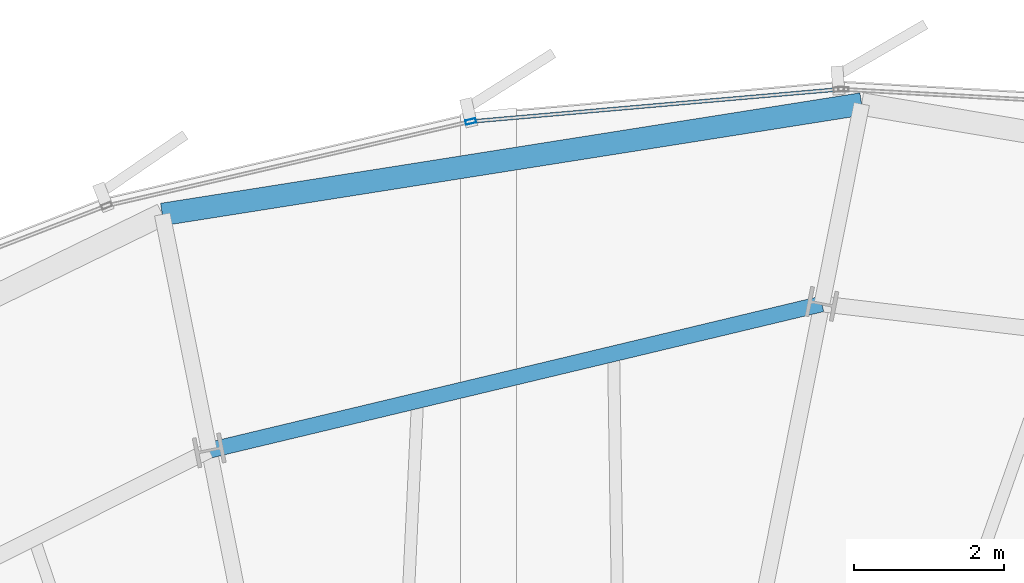
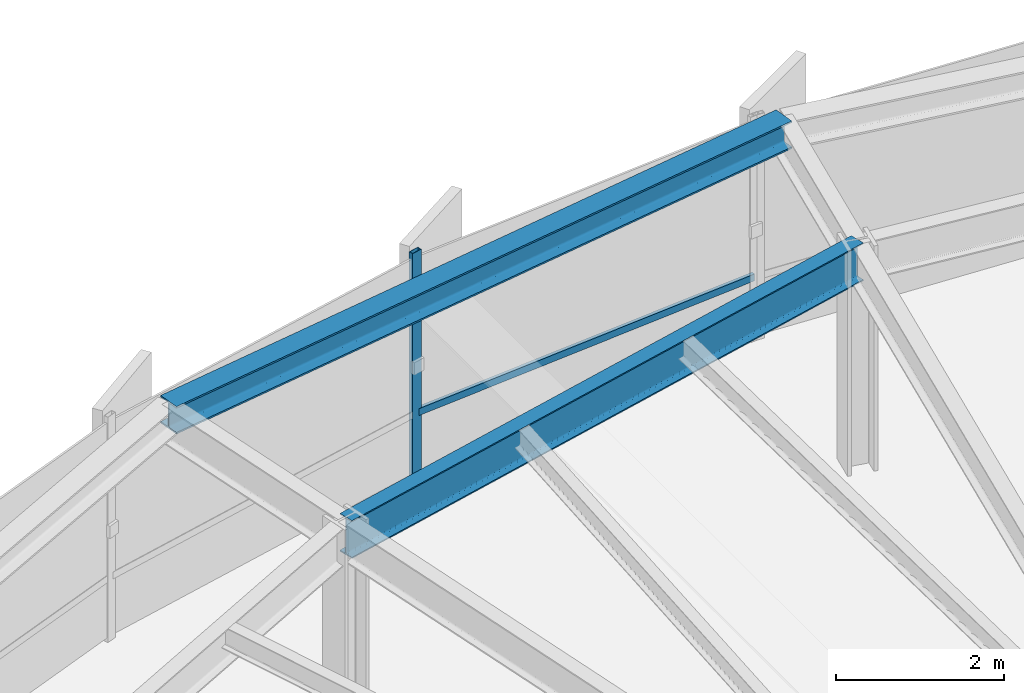
# One storey, part 23 of 35: 2 beams, 2 members, 1 element without a shape of its own.
"""IFC4 building model written with IfcOpenShell, lengths in metres."""

from ifc_helpers import new_model, si_unit, direction, frame, origin, origin_2d, place, context, subcontext, project, spatial, hollow_rectangle, i_section, extrude, source, transform, mapped, material, layer, layer_set, material_profile, profile_set, type_object, element, aggregate, save


model = new_model("IFC4")

# Units and contexts
model_context = context("Model", 3, precision=1e-05, world=origin(), true_north=direction((0.0, 1.0)))
body_context = subcontext(model_context, "Body", "Model", "MODEL_VIEW")
ifc_project = project(units=[si_unit("LENGTHUNIT", "METRE"), si_unit("AREAUNIT", "SQUARE_METRE"), si_unit("VOLUMEUNIT", "CUBIC_METRE"), si_unit("PLANEANGLEUNIT", "RADIAN"), si_unit("MASSUNIT", "GRAM", prefix="KILO"), si_unit("THERMODYNAMICTEMPERATUREUNIT", "KELVIN")], contexts=[model_context])

# Site, building, storey
site_placement = place(None, origin())
site = spatial("IfcSite", under=ifc_project, at=site_placement, CompositionType="ELEMENT")
building_placement = place(site_placement, origin())
building = spatial("IfcBuilding", under=site, at=building_placement, Name="Kethvar Cultural Tower", CompositionType="ELEMENT")
storey_placement = place(building_placement, frame((0.0, 0.0, 135.89990234375)))
storey = spatial("IfcBuildingStorey", under=building, at=storey_placement, Name="L34", CompositionType="ELEMENT", Elevation=135.89990234375)

# Beams
ifc_material_1 = material(Name="Steel S355J2", Category="steel")
ifc_material_profile_1 = material_profile(ifc_material_1, i_section(OverallWidth=0.2099609375, OverallDepth=0.550048828125, WebThickness=0.010986328125, FlangeThickness=0.01708984375, FilletRadius=0.02392578125, at=origin_2d()), Name="Steel S355J2 — IPE550")
ifc_profile_set_1 = profile_set([ifc_material_profile_1], Name="Steel S355J2 — IPE550")
beam_type_1 = type_object("IfcBeamType", Name="BM-IPE550", PredefinedType="BEAM", material=ifc_profile_set_1)
shared_shape_1 = source(origin(), body_context, "Body", "SweptSolid", [
    extrude(i_section(OverallWidth=0.2099609375, OverallDepth=0.550048828125, WebThickness=0.010986328125, FlangeThickness=0.01708984375, FilletRadius=0.02392578125, at=origin_2d()), origin(), (0.0, 0.0, 1.0), 8.379150390625),
])
beam_1_placement = place(storey_placement, frame((51.068603515625, 49.25927734375, 3.023193359375), z_axis=(-0.972601380857, -0.232479147355, 0.0), x_axis=(0.232479147355, -0.972601380857, 0.0)))
element("IfcBeam", 1, at=beam_1_placement, inside=storey, type_object=beam_type_1, Name="L34 Column Ring Tie Beam CR-04", PredefinedType="BEAM", context=body_context, shape_type="MappedRepresentation", body=[
    mapped(shared_shape_1, transform((0.0, 0.0, 0.0), scale=1.0)),
])
ifc_material_profile_2 = material_profile(ifc_material_1, i_section(OverallWidth=0.300048828125, OverallDepth=0.39990234375, WebThickness=0.013427734375, FlangeThickness=0.02392578125, FilletRadius=0.027099609375, at=origin_2d()), Name="Steel S355J2 — HEB400")
ifc_profile_set_2 = profile_set([ifc_material_profile_2], Name="Steel S355J2 — HEB400")
beam_type_2 = type_object("IfcBeamType", Name="BM-SP400", PredefinedType="SPANDREL", material=ifc_profile_set_2)
shared_shape_2 = source(origin(), body_context, "Body", "SweptSolid", [
    extrude(i_section(OverallWidth=0.300048828125, OverallDepth=0.39990234375, WebThickness=0.013427734375, FlangeThickness=0.02392578125, FilletRadius=0.027099609375, at=origin_2d()), origin(), (0.0, 0.0, 1.0), 9.41796875),
])
beam_2_placement = place(storey_placement, frame((51.597412109375, 51.918701171875, 3.09814453125), z_axis=(-0.987760653191, -0.155977216309, 0.0), x_axis=(0.155977216309, -0.987760653191, 0.0)))
element("IfcBeam", 2, at=beam_2_placement, inside=storey, type_object=beam_type_2, Name="L34 Perimeter Spandrel Beam SP-04", PredefinedType="SPANDREL", context=body_context, shape_type="MappedRepresentation", body=[
    mapped(shared_shape_2, transform((0.0, 0.0, 0.0), scale=1.0)),
])

# Curtain wall, members
ifc_material_2 = material(Name="Aluminium 6063-T6", Category="aluminium")
ifc_layer = layer(ifc_material_2, 0.179931640625, Name="Aluminium 6063-T6", Category="aluminium")
ifc_layer_set = layer_set([ifc_layer], Name="Aluminium 6063-T6 (180 mm)")
curtain_wall_type = type_object("IfcCurtainWallType", Name="CW-SYS-04-Z34", PredefinedType="NOTDEFINED", material=ifc_layer_set)
curtain_wall_placement = place(storey_placement, origin())
curtain_wall = element("IfcCurtainWall", 3, at=curtain_wall_placement, inside=storey, type_object=curtain_wall_type, Name="L34 Curtain Wall Run 02", PredefinedType="NOTDEFINED")
ifc_material_profile_3 = material_profile(ifc_material_2, hollow_rectangle(XDim=0.06005859375, YDim=0.139892578125, WallThickness=0.0048828125, at=origin_2d()), Name="Aluminium 6063-T6 — RHS140x60x5")
ifc_profile_set_3 = profile_set([ifc_material_profile_3], Name="Aluminium 6063-T6 — RHS140x60x5")
member_type_1 = type_object("IfcMemberType", Name="CW-SYS-04-Z34-MUL", PredefinedType="MULLION", material=ifc_profile_set_3)
shared_shape_3 = source(origin(), body_context, "Body", "SweptSolid", [
    extrude(hollow_rectangle(XDim=0.06005859375, YDim=0.139892578125, WallThickness=0.0048828125, at=origin_2d()), origin(), (0.0, 0.0, 1.0), 3.300048828125),
])
member_1_placement = place(storey_placement, frame((46.3974609375, 51.68603515625, 0.0), z_axis=(0.0, 0.0, 1.0), x_axis=(0.225478206331, -0.974248211941, 0.0)))
member_1 = element("IfcMember", 4, at=member_1_placement, type_object=member_type_1, Name="CW-L34-R02 Mullion 2", PredefinedType="MULLION", context=body_context, shape_type="MappedRepresentation", body=[
    mapped(shared_shape_3, transform((0.0, 0.0, 0.0), scale=1.0)),
])
ifc_material_profile_4 = material_profile(ifc_material_2, hollow_rectangle(XDim=0.050048828125, YDim=0.10009765625, WallThickness=0.00390625, at=origin_2d()), Name="Aluminium 6063-T6 — RHS100x50x4")
ifc_profile_set_4 = profile_set([ifc_material_profile_4], Name="Aluminium 6063-T6 — RHS100x50x4")
member_type_2 = type_object("IfcMemberType", Name="CW-SYS-04-Z34-TRN", PredefinedType="USERDEFINED", material=ifc_profile_set_4)
shared_shape_4 = source(origin(), body_context, "Body", "SweptSolid", [
    extrude(hollow_rectangle(XDim=0.050048828125, YDim=0.10009765625, WallThickness=0.00390625, at=origin_2d()), origin(), (0.0, 0.0, 1.0), 4.88232421875),
])
member_2_placement = place(storey_placement, frame((51.2890625, 52.112548828125, 0.9501953125), z_axis=(-0.996203155951, -0.087059014884, 0.0), x_axis=(0.087059014884, -0.996203155951, 0.0)))
member_2 = element("IfcMember", 5, at=member_2_placement, type_object=member_type_2, Name="CW-L34-R02 Transom 1", ObjectType="TRANSOM", PredefinedType="USERDEFINED", context=body_context, shape_type="MappedRepresentation", body=[
    mapped(shared_shape_4, transform((0.0, 0.0, 0.0), scale=1.0)),
])
aggregate(curtain_wall, [member_1, member_2])

save(model, "model.ifc")
